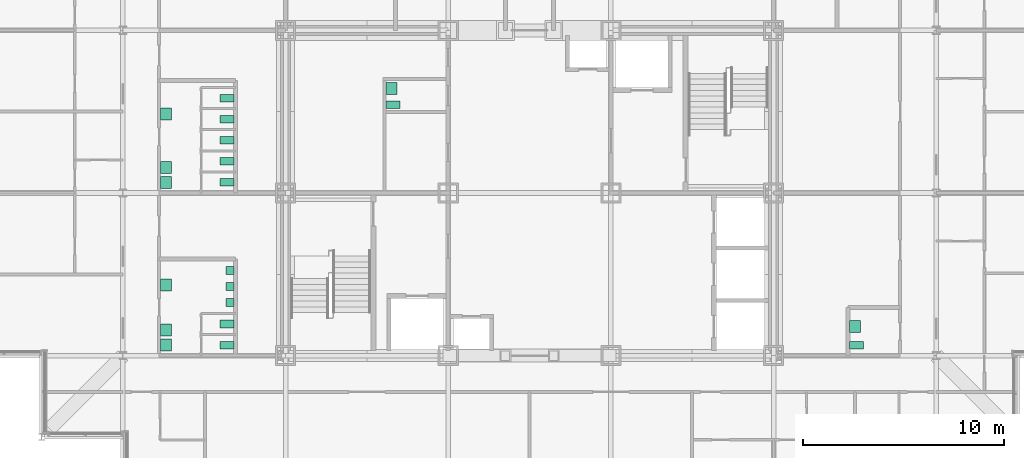
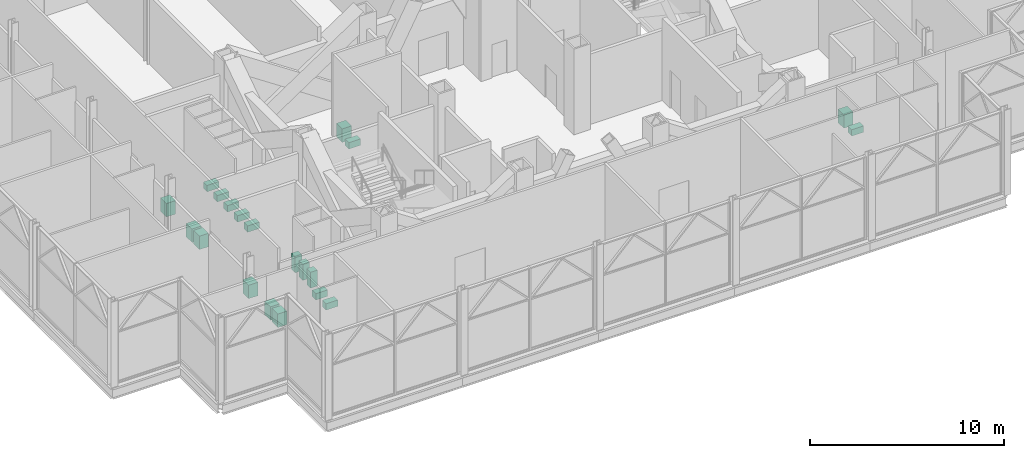
# One storey, part 26 of 26: 20 sanitary terminals.
"""IFC4 building model written with IfcOpenShell, lengths in metres."""

import ifcopenshell
import ifcopenshell.guid

model = None  # the IFC model being written
_history = None  # IfcOwnerHistory: only IFC2X3 demands one
_inside = {}  # id of a spatial element -> (the spatial element, [elements in it])
_under = {}  # id of a project, library or spatial element -> (it, [spatial elements below it])
_declared = {}  # id of a project -> (the project, [libraries it declares])
_typed = {}  # id of a type object -> (the type object, [elements of that type])
_made_of = {}  # id of a material, layer set ... -> (it, [elements and type objects made of it])


def new_model(schema):
    """Start an empty IFC model of exactly this schema.

    Asked for "IFC4X3", IfcOpenShell would pick the latest addendum, in which some entities
    have other attributes; the version numbers below select the first issue.
    IFC2X3 requires an IfcOwnerHistory on every rooted entity: one is made here for all.
    """
    global model, _history
    if schema == "IFC4X3":
        model = ifcopenshell.file(schema_version=(4, 3, 0, 0))
    else:
        model = ifcopenshell.file(schema=schema)
    _inside.clear()
    _under.clear()
    _declared.clear()
    _typed.clear()
    _made_of.clear()
    _history = None
    if model.schema == "IFC2X3":
        org = make("IfcOrganization", Name="unknown")
        user = make(
            "IfcPersonAndOrganization",
            ThePerson=make("IfcPerson", FamilyName="unknown"),
            TheOrganization=org,
        )
        app = make(
            "IfcApplication",
            ApplicationDeveloper=org,
            Version="unknown",
            ApplicationFullName="unknown",
            ApplicationIdentifier="unknown",
        )
        _history = make(
            "IfcOwnerHistory",
            OwningUser=user,
            OwningApplication=app,
            ChangeAction="ADDED",
            CreationDate=0,
        )
    return model


def make(cls, **values):
    """One entity of the class cls with the attributes given. An attribute that is None is left unset."""
    return model.create_entity(
        cls, **{name: value for name, value in values.items() if value is not None}
    )


def rooted(cls, **values):
    """An entity with a GlobalId (a new one), such as an element, a storey or a relation."""
    return make(cls, GlobalId=ifcopenshell.guid.new(), OwnerHistory=_history, **values)


def si_unit(unit_type, name, prefix=None):
    """IfcSIUnit, for example si_unit("LENGTHUNIT", "METRE", prefix="MILLI")."""
    return make("IfcSIUnit", UnitType=unit_type, Prefix=prefix, Name=name)


def assignment(units):
    """IfcUnitAssignment: the units of a project."""
    return None if units is None else make("IfcUnitAssignment", Units=units)


def point(xyz):
    """IfcCartesianPoint."""
    return None if xyz is None else make("IfcCartesianPoint", Coordinates=xyz)


def direction(xyz):
    """IfcDirection."""
    return None if xyz is None else make("IfcDirection", DirectionRatios=xyz)


def frame(location, z_axis=None, x_axis=None):
    """IfcAxis2Placement3D, a coordinate frame: its origin and axes. An axis left out is left unset."""
    return make(
        "IfcAxis2Placement3D",
        Location=point(location),
        Axis=direction(z_axis),
        RefDirection=direction(x_axis),
    )


def frame_2d(location, x_axis=None):
    """IfcAxis2Placement2D, a coordinate frame in the plane: its origin and x axis."""
    return make(
        "IfcAxis2Placement2D", Location=point(location), RefDirection=direction(x_axis)
    )


def origin():
    """The frame at (0, 0, 0) with its axes left unset."""
    return frame((0.0, 0.0, 0.0))


def origin_2d():
    """The frame at (0, 0) in the plane with its x axis left unset."""
    return frame_2d((0.0, 0.0))


def place(relative_to, where):
    """IfcLocalPlacement: puts the frame where relative to a parent placement (None: the world)."""
    return make(
        "IfcLocalPlacement", PlacementRelTo=relative_to, RelativePlacement=where
    )


def context(
    kind, dimensions, precision=None, world=None, true_north=None, identifier=None
):
    """IfcGeometricRepresentationContext, for example the 3D "Model" context."""
    return make(
        "IfcGeometricRepresentationContext",
        ContextIdentifier=identifier,
        ContextType=kind,
        CoordinateSpaceDimension=dimensions,
        Precision=precision,
        WorldCoordinateSystem=world,
        TrueNorth=true_north,
    )


def subcontext(parent, identifier, kind, view, scale=None):
    """IfcGeometricRepresentationSubContext, for example "Body" below "Model"."""
    return make(
        "IfcGeometricRepresentationSubContext",
        ContextIdentifier=identifier,
        ContextType=kind,
        ParentContext=parent,
        TargetScale=scale,
        TargetView=view,
    )


def project(units=None, contexts=None):
    """IfcProject with its units and contexts."""
    return rooted(
        "IfcProject",
        Name="project",
        RepresentationContexts=contexts,
        UnitsInContext=assignment(units),
    )


def spatial(cls, under=None, at=None, **own):
    """A site, building, storey or space (cls), placed at a placement, below another one or the project."""
    s = rooted(cls, ObjectPlacement=at, **own)
    if under is not None:
        _under.setdefault(under.id(), (under, []))[1].append(s)
    return s


def profile(cls, at=None, kind="AREA", **sizes):
    """A parametric profile (cls). Its sizes go by their IFC names, for example OverallWidth=200.0."""
    return make(cls, ProfileType=kind, Position=at, **sizes)


def rectangle(**sizes):
    """IfcRectangleProfileDef."""
    return profile("IfcRectangleProfileDef", **sizes)


def extrude(swept, where, along, depth):
    """IfcExtrudedAreaSolid: the profile swept, set in the frame where, extruded along a direction by depth."""
    return make(
        "IfcExtrudedAreaSolid",
        SweptArea=swept,
        Position=where,
        ExtrudedDirection=direction(along),
        Depth=depth,
    )


def shape(context_of_items, identifier, shape_type, items):
    """IfcShapeRepresentation: the items that make up one representation, for example the "Body"."""
    return make(
        "IfcShapeRepresentation",
        ContextOfItems=context_of_items,
        RepresentationIdentifier=identifier,
        RepresentationType=shape_type,
        Items=items,
    )


def material(Name=None, Category=None):
    """IfcMaterial."""
    return make("IfcMaterial", Name=Name, Category=Category)


def made_of(thing, what):
    """Note that an element or type object is made of a material, layer set ...; save() writes the relation."""
    if what is not None:
        _made_of.setdefault(what.id(), (what, []))[1].append(thing)
    return thing


def element(
    cls,
    number,
    at=None,
    inside=None,
    cuts=None,
    type_object=None,
    material=None,
    context=None,
    identifier="Body",
    shape_type=None,
    held_by="IfcProductDefinitionShape",
    body=None,
    shapes=None,
    **own,
):
    """One element of the class cls, such as IfcWall. Its Tag is "e" and its number.

    at: its placement. inside: the storey or other place that contains it. cuts: it is an
    opening in that element (IfcRelVoidsElement). A single representation is given by context,
    identifier, shape_type and body (its items); several are given by shapes. held_by: the class
    of the entity that holds the representations. save() writes the other relations.
    """
    e = rooted(cls, Tag="e%d" % number, ObjectPlacement=at, **own)
    if body is not None:
        shapes = [shape(context, identifier, shape_type, body)]
    if shapes is not None:
        e.Representation = make(held_by, Representations=shapes)
    if inside is not None:
        _inside.setdefault(inside.id(), (inside, []))[1].append(e)
    if cuts is not None:
        rooted(
            "IfcRelVoidsElement", RelatingBuildingElement=cuts, RelatedOpeningElement=e
        )
    if type_object is not None:
        _typed.setdefault(type_object.id(), (type_object, []))[1].append(e)
    return made_of(e, material)


def aggregate(whole, parts):
    """IfcRelAggregates: a whole, such as a stair, and the parts it consists of."""
    return rooted("IfcRelAggregates", RelatingObject=whole, RelatedObjects=parts)


def save(model, path):
    """Write the relations noted so far, then the file.

    IfcRelAggregates (storeys below a building ...), IfcRelContainedInSpatialStructure (elements
    in a storey), IfcRelDefinesByType, IfcRelAssociatesMaterial and IfcRelDeclares: one each for
    every whole, place, type object, material and project.
    """
    for whole, parts in _under.values():
        aggregate(whole, parts)
    for where, things in _inside.values():
        rooted(
            "IfcRelContainedInSpatialStructure",
            RelatedElements=things,
            RelatingStructure=where,
        )
    for kind, things in _typed.values():
        rooted("IfcRelDefinesByType", RelatedObjects=things, RelatingType=kind)
    for what, things in _made_of.values():
        rooted("IfcRelAssociatesMaterial", RelatedObjects=things, RelatingMaterial=what)
    for by, libraries in _declared.values():
        rooted("IfcRelDeclares", RelatingContext=by, RelatedDefinitions=libraries)
    model.write(path)


model = new_model("IFC4")

# Units and contexts
model_context = context("Model", 3, precision=1e-05, world=origin(), true_north=direction((0.0, 1.0)))
body_context = subcontext(model_context, "Body", "Model", "MODEL_VIEW")
ifc_project = project(units=[si_unit("LENGTHUNIT", "METRE"), si_unit("AREAUNIT", "SQUARE_METRE"), si_unit("VOLUMEUNIT", "CUBIC_METRE"), si_unit("PLANEANGLEUNIT", "RADIAN"), si_unit("MASSUNIT", "GRAM", prefix="KILO")], contexts=[model_context])

# Site, building, storey
site_placement = place(None, origin())
site = spatial("IfcSite", under=ifc_project, at=site_placement, CompositionType="ELEMENT")
building_placement = place(site_placement, origin())
building = spatial("IfcBuilding", under=site, at=building_placement, Name="Kopane Lantern Tower", CompositionType="ELEMENT")
storey_placement = place(building_placement, frame((0.0, 0.0, 293.10009765625)))
storey = spatial("IfcBuildingStorey", under=building, at=storey_placement, Name="L75", CompositionType="ELEMENT", Elevation=293.10009765625)

# Sanitary terminals
ifc_material = material(Name="Vitreous china")
for number, where, z_axis, x_axis, name in (
    (1, (13.27490234375, 24.824951171875, 0.0), (0.0, 0.0, 1.0), (1.0, 0.0, 0.0), "WC pan L75"),
    (2, (13.27490234375, 25.875, 0.0), (0.0, 0.0, 1.0), (1.0, 0.0, 0.0), "WC pan L75"),
):
    element("IfcSanitaryTerminal", number, at=place(storey_placement, frame(where, z_axis=z_axis, x_axis=x_axis)), inside=storey, material=ifc_material, Name=name, PredefinedType="TOILETPAN", context=body_context, shape_type="SweptSolid", body=[
        extrude(rectangle(XDim=0.699951171875, YDim=0.3798828125, at=origin_2d()), origin(), (0.0, 0.0, 1.0), 0.39990234375),
    ])
for number, where, z_axis, x_axis, name in (
    (3, (13.425048828125, 26.949951171875, 0.0), (0.0, 0.0, 1.0), (1.0, 0.0, 0.0), "Urinal L75"),
    (4, (13.425048828125, 27.75, 0.0), (0.0, 0.0, 1.0), (1.0, 0.0, 0.0), "Urinal L75"),
    (5, (13.425048828125, 28.550048828125, 0.0), (0.0, 0.0, 1.0), (1.0, 0.0, 0.0), "Urinal L75"),
):
    element("IfcSanitaryTerminal", number, at=place(storey_placement, frame(where, z_axis=z_axis, x_axis=x_axis)), inside=storey, material=ifc_material, Name=name, PredefinedType="URINAL", context=body_context, shape_type="SweptSolid", body=[
        extrude(rectangle(XDim=0.39990234375, YDim=0.39990234375, at=origin_2d()), origin(), (0.0, 0.0, 1.0), 1.0),
    ])
for number, where, z_axis, x_axis, name in (
    (6, (10.25, 24.824951171875, -0.000244140625), (0.0, 0.0, 1.0), (1.0, 0.0, 0.0), "Wash basin L75"),
    (7, (10.25, 25.574951171875, -0.000244140625), (0.0, 0.0, 1.0), (1.0, 0.0, 0.0), "Wash basin L75"),
    (8, (10.25, 27.824951171875, -0.000244140625), (0.0, 0.0, 1.0), (1.0, 0.0, 0.0), "Wash basin L75"),
):
    element("IfcSanitaryTerminal", number, at=place(storey_placement, frame(where, z_axis=z_axis, x_axis=x_axis)), inside=storey, material=ifc_material, Name=name, PredefinedType="WASHHANDBASIN", context=body_context, shape_type="SweptSolid", body=[
        extrude(rectangle(XDim=0.550048828125, YDim=0.60009765625, at=origin_2d()), origin(), (0.0, 0.0, 1.0), 0.85009765625),
    ])
for number, where, z_axis, x_axis, name in (
    (9, (13.27490234375, 32.925048828125, 0.0), (0.0, 0.0, 1.0), (1.0, 0.0, 0.0), "WC pan L75"),
    (10, (13.27490234375, 33.97509765625, 0.0), (0.0, 0.0, 1.0), (1.0, 0.0, 0.0), "WC pan L75"),
    (11, (13.27490234375, 35.02490234375, 0.0), (0.0, 0.0, 1.0), (1.0, 0.0, 0.0), "WC pan L75"),
    (12, (13.27490234375, 36.074951171875, 0.0), (0.0, 0.0, 1.0), (1.0, 0.0, 0.0), "WC pan L75"),
    (13, (13.27490234375, 37.125, 0.0), (0.0, 0.0, 1.0), (1.0, 0.0, 0.0), "WC pan L75"),
):
    element("IfcSanitaryTerminal", number, at=place(storey_placement, frame(where, z_axis=z_axis, x_axis=x_axis)), inside=storey, material=ifc_material, Name=name, PredefinedType="TOILETPAN", context=body_context, shape_type="SweptSolid", body=[
        extrude(rectangle(XDim=0.699951171875, YDim=0.3798828125, at=origin_2d()), origin(), (0.0, 0.0, 1.0), 0.39990234375),
    ])
for number, where, z_axis, x_axis, name in (
    (14, (10.25, 32.925048828125, -0.000244140625), (0.0, 0.0, 1.0), (1.0, 0.0, 0.0), "Wash basin L75"),
    (15, (10.25, 33.675048828125, -0.000244140625), (0.0, 0.0, 1.0), (1.0, 0.0, 0.0), "Wash basin L75"),
    (16, (10.25, 36.324951171875, -0.000244140625), (0.0, 0.0, 1.0), (1.0, 0.0, 0.0), "Wash basin L75"),
):
    element("IfcSanitaryTerminal", number, at=place(storey_placement, frame(where, z_axis=z_axis, x_axis=x_axis)), inside=storey, material=ifc_material, Name=name, PredefinedType="WASHHANDBASIN", context=body_context, shape_type="SweptSolid", body=[
        extrude(rectangle(XDim=0.550048828125, YDim=0.60009765625, at=origin_2d()), origin(), (0.0, 0.0, 1.0), 0.85009765625),
    ])
sanitary_terminal_1_placement = place(storey_placement, frame((44.625, 24.824951171875, 0.0), z_axis=(0.0, 0.0, 1.0), x_axis=(1.0, 0.0, 0.0)))
element("IfcSanitaryTerminal", 17, at=sanitary_terminal_1_placement, inside=storey, material=ifc_material, Name="WC pan L75", PredefinedType="TOILETPAN", context=body_context, shape_type="SweptSolid", body=[
    extrude(rectangle(XDim=0.699951171875, YDim=0.3798828125, at=origin_2d()), origin(), (0.0, 0.0, 1.0), 0.39990234375),
])
sanitary_terminal_2_placement = place(storey_placement, frame((44.550048828125, 25.75, -0.000244140625), z_axis=(0.0, 0.0, 1.0), x_axis=(1.0, 0.0, 0.0)))
element("IfcSanitaryTerminal", 18, at=sanitary_terminal_2_placement, inside=storey, material=ifc_material, Name="Wash basin L75", PredefinedType="WASHHANDBASIN", context=body_context, shape_type="SweptSolid", body=[
    extrude(rectangle(XDim=0.550048828125, YDim=0.60009765625, at=origin_2d()), origin(), (0.0, 0.0, 1.0), 0.85009765625),
])
sanitary_terminal_3_placement = place(storey_placement, frame((21.550048828125, 36.800048828125, 0.0), z_axis=(0.0, 0.0, 1.0), x_axis=(1.0, 0.0, 0.0)))
element("IfcSanitaryTerminal", 19, at=sanitary_terminal_3_placement, inside=storey, material=ifc_material, Name="WC pan L75", PredefinedType="TOILETPAN", context=body_context, shape_type="SweptSolid", body=[
    extrude(rectangle(XDim=0.699951171875, YDim=0.3798828125, at=origin_2d()), origin(), (0.0, 0.0, 1.0), 0.39990234375),
])
sanitary_terminal_4_placement = place(storey_placement, frame((21.47509765625, 37.60009765625, -0.000244140625), z_axis=(0.0, 0.0, 1.0), x_axis=(1.0, 0.0, 0.0)))
element("IfcSanitaryTerminal", 20, at=sanitary_terminal_4_placement, inside=storey, material=ifc_material, Name="Wash basin L75", PredefinedType="WASHHANDBASIN", context=body_context, shape_type="SweptSolid", body=[
    extrude(rectangle(XDim=0.550048828125, YDim=0.60009765625, at=origin_2d()), origin(), (0.0, 0.0, 1.0), 0.85009765625),
])

save(model, "model.ifc")
